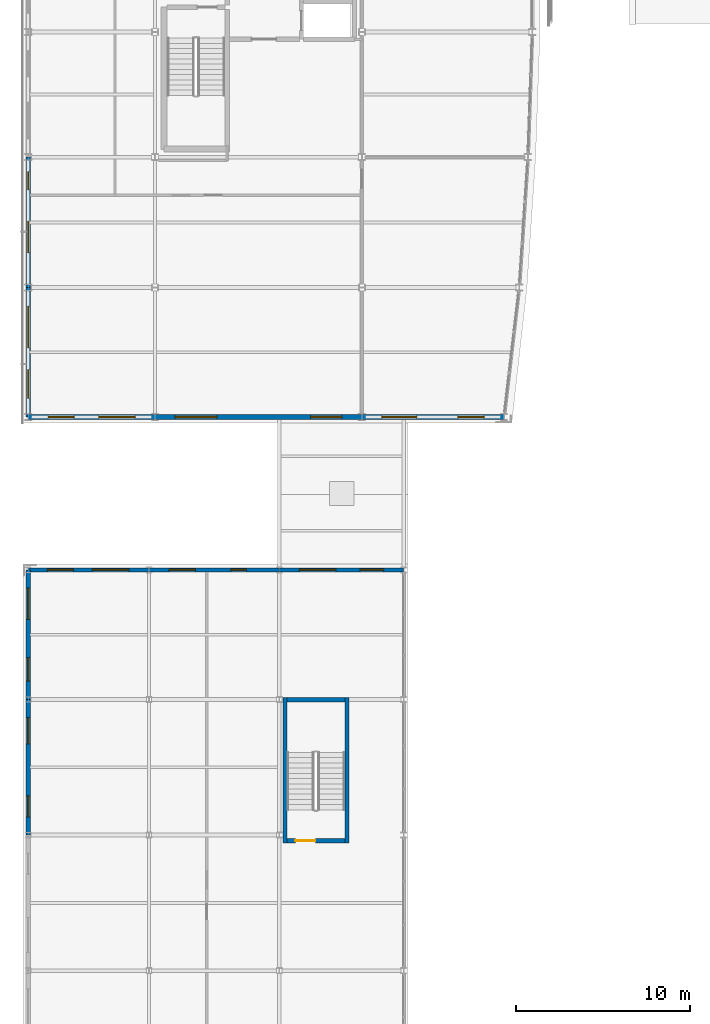
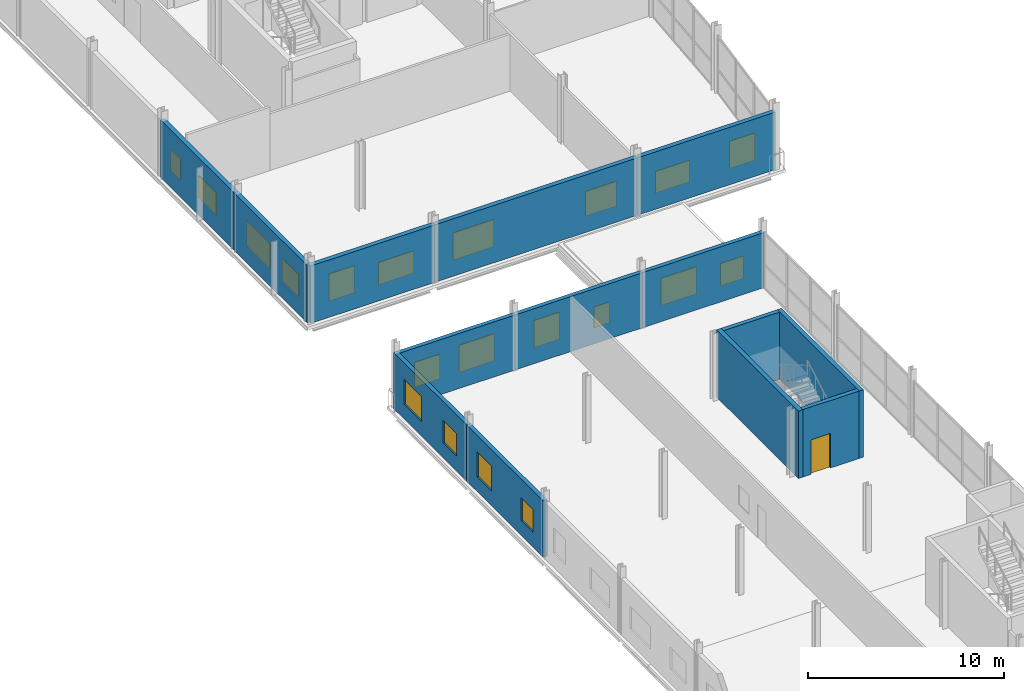
# One storey, part 53 of 65: 20 windows, 14 walls, 1 door, 21 openings.
"""IFC4 building model written with IfcOpenShell, lengths in metres."""

from ifc_helpers import new_model, si_unit, direction, frame, frame_2d, origin, place, context, subcontext, project, spatial, rectangle, extrude, material, layer, layer_set, type_object, element, fill, save


model = new_model("IFC4")

# Units and contexts
model_context = context("Model", 3, precision=1e-05, world=origin(), true_north=direction((0.0, 1.0)))
body_context = subcontext(model_context, "Body", "Model", "MODEL_VIEW")
ifc_project = project(units=[si_unit("LENGTHUNIT", "METRE"), si_unit("AREAUNIT", "SQUARE_METRE"), si_unit("VOLUMEUNIT", "CUBIC_METRE"), si_unit("PLANEANGLEUNIT", "RADIAN"), si_unit("MASSUNIT", "GRAM", prefix="KILO")], contexts=[model_context])

# Site, building, storey
site_placement = place(None, origin())
site = spatial("IfcSite", under=ifc_project, at=site_placement, CompositionType="ELEMENT")
building_placement = place(site_placement, origin())
building = spatial("IfcBuilding", under=site, at=building_placement, Name="Quillay Park Conservatory", CompositionType="ELEMENT")
storey_placement = place(building_placement, frame((0.0, 0.0, 14.10009765625)))
storey = spatial("IfcBuildingStorey", under=building, at=storey_placement, Name="L03", CompositionType="ELEMENT", Elevation=14.10009765625)

# Walls
ifc_material_1 = material(Name="Concrete C40/50 (NCh170 Concrete C40/50)", Category="concrete")
ifc_layer_1 = layer(ifc_material_1, 0.25)
ifc_layer_set_1 = layer_set([ifc_layer_1], Name="CORE SHEAR WALL 250 (Concrete C40/50 (NCh170 Concrete C40/50))")
wall_type_1 = type_object("IfcWallType", Name="CORE SHEAR WALL 250", PredefinedType="SHEAR", material=ifc_layer_set_1)
for number, where, z_axis, x_axis, name in (
    (1, (15.324951171875, 38.550048828125, 0.0), (0.0, 0.0, 1.0), (0.0, 1.0, 0.0), "L03 Core Shear Wall WL-V2W-L03"),
    (2, (18.89501953125, 38.550048828125, 0.0), (0.0, 0.0, 1.0), (0.0, 1.0, 0.0), "L03 Core Shear Wall WL-V2E-L03"),
):
    element("IfcWall", number, at=place(storey_placement, frame(where, z_axis=z_axis, x_axis=x_axis)), inside=storey, type_object=wall_type_1, Name=name, PredefinedType="SHEAR", context=body_context, shape_type="SweptSolid", body=[
        extrude(rectangle(XDim=8.349853515625, YDim=0.25, at=frame_2d((4.1748046875, 0.0))), origin(), (0.0, 0.0, 1.0), 4.199951171875),
    ])
wall_1_placement = place(storey_placement, frame((15.449951171875, 46.77490234375, 0.0), z_axis=(0.0, 0.0, 1.0), x_axis=(1.0, 0.0, 0.0)))
element("IfcWall", 3, at=wall_1_placement, inside=storey, type_object=wall_type_1, Name="L03 Core Shear Wall WL-V2N-L03", PredefinedType="SHEAR", context=body_context, shape_type="SweptSolid", body=[
    extrude(rectangle(XDim=3.320068359375, YDim=0.25, at=frame_2d((1.66015625, 0.0))), origin(), (0.0, 0.0, 1.0), 4.199951171875),
])

# Wall, opening, door
wall_2_placement = place(storey_placement, frame((18.77001953125, 38.675048828125, 0.0), z_axis=(0.0, 0.0, 1.0), x_axis=(-1.0, 0.0, 0.0)))
wall_2 = element("IfcWall", 4, at=wall_2_placement, inside=storey, type_object=wall_type_1, Name="L03 Core Shear Wall WL-V2D-L03", PredefinedType="SHEAR", context=body_context, shape_type="SweptSolid", body=[
    extrude(rectangle(XDim=3.320068359375, YDim=0.25, at=frame_2d((1.66015625, 0.0))), origin(), (0.0, 0.0, 1.0), 4.199951171875),
])
opening_1_placement = place(wall_2_placement, frame((1.699951171875, 0.0, 0.0)))
opening_1 = element("IfcOpeningElement", 5, at=opening_1_placement, cuts=wall_2, Name="Opening D-ST02", PredefinedType="OPENING", context=body_context, shape_type="SweptSolid", body=[
    extrude(rectangle(XDim=1.14990234375, YDim=2.14990234375, at=frame_2d((0.574951171875, 1.074951171875))), frame((0.0, 0.125, 0.0), z_axis=(0.0, -1.0, 0.0), x_axis=(1.0, 0.0, 0.0)), (0.0, 0.0, 1.0), 0.25),
])
ifc_material_2 = material(Name="Steel ASTM A572 Grade 50", Category="steel")
door_type = type_object("IfcDoorType", Name="FIRE RATED STAIR DOOR 1150 X2150", OperationType="NOTDEFINED", PredefinedType="DOOR", material=ifc_material_2)
door_placement = place(opening_1_placement, origin())
door = element("IfcDoor", 6, at=door_placement, inside=storey, type_object=door_type, Name="L03 Visitor Stair ST-V2 Door", OperationType="SINGLE_SWING_RIGHT", OverallHeight=2.14990234375, OverallWidth=1.14990234375, PredefinedType="DOOR", context=body_context, shape_type="SweptSolid", body=[
    extrude(rectangle(XDim=1.14990234375, YDim=2.14990234375, at=frame_2d((0.574951171875, 1.074951171875))), frame((0.0, 0.02490234375, 0.0), z_axis=(0.0, -1.0, 0.0), x_axis=(1.0, 0.0, 0.0)), (0.0, 0.0, 1.0), 0.050048828125),
])
fill(opening_1, door)

# Wall, openings, windows
ifc_material_3 = material(Name="Glass-Fibre Reinforced Concrete (GRC) Cladding", Category="concrete")
ifc_layer_2 = layer(ifc_material_3, 0.239990234375)
ifc_layer_set_2 = layer_set([ifc_layer_2], Name="EXTERIOR SOLID WALL 240 (Glass-Fibre Reinforced Concrete (GRC) Cladding)")
wall_type_2 = type_object("IfcWallType", Name="EXTERIOR SOLID WALL 240", PredefinedType="SOLIDWALL", material=ifc_layer_set_2)
wall_3_placement = place(storey_placement, frame((0.550048828125, 39.0, 0.0), z_axis=(0.0, 0.0, 1.0), x_axis=(0.0, 1.0, 0.0)))
wall_3 = element("IfcWall", 7, at=wall_3_placement, inside=storey, type_object=wall_type_2, Name="L03 External Wall WL-EXT-V3W-L03-5", PredefinedType="SOLIDWALL", context=body_context, shape_type="SweptSolid", body=[
    extrude(rectangle(XDim=7.800048828125, YDim=0.239990234375, at=frame_2d((3.89990234375, 0.0))), origin(), (0.0, 0.0, 1.0), 3.501953125),
])
opening_2_placement = place(wall_3_placement, frame((1.050048828125, 0.0, 0.919921875)))
opening_2 = element("IfcOpeningElement", 8, at=opening_2_placement, cuts=wall_3, Name="Opening W-01", PredefinedType="OPENING", context=body_context, shape_type="SweptSolid", body=[
    extrude(rectangle(XDim=1.199951171875, YDim=1.39990234375, at=frame_2d((0.60009765625, 0.699951171875))), frame((0.0, 0.1201171875, 0.0), z_axis=(0.0, -1.0, 0.0), x_axis=(1.0, 0.0, 0.0)), (0.0, 0.0, 1.0), 0.239990234375),
])
opening_3_placement = place(wall_3_placement, frame((5.25, 0.0, 0.919921875)))
opening_3 = element("IfcOpeningElement", 9, at=opening_3_placement, cuts=wall_3, Name="Opening W-08", PredefinedType="OPENING", context=body_context, shape_type="SweptSolid", body=[
    extrude(rectangle(XDim=1.5, YDim=1.550048828125, at=frame_2d((0.75, 0.77490234375))), frame((0.0, 0.1201171875, 0.0), z_axis=(0.0, -1.0, 0.0), x_axis=(1.0, 0.0, 0.0)), (0.0, 0.0, 1.0), 0.239990234375),
])
ifc_material_4 = material(Name="Low-E Double Glazing (Laminated Tempered)", Category="glass")
window_type_1 = type_object("IfcWindowType", Name="FIXED CASEMENT WINDOW 1200 X1400", PartitioningType="SINGLE_PANEL", PredefinedType="WINDOW", material=ifc_material_4)
window_1_placement = place(opening_2_placement, origin())
window_1 = element("IfcWindow", 10, at=window_1_placement, inside=storey, type_object=window_type_1, Name="L03 Exterior Window 0061", OverallHeight=1.39990234375, OverallWidth=1.199951171875, PartitioningType="SINGLE_PANEL", PredefinedType="WINDOW", context=body_context, shape_type="SweptSolid", body=[
    extrude(rectangle(XDim=1.199951171875, YDim=1.39990234375, at=frame_2d((0.60009765625, 0.699951171875))), frame((0.0, 0.030029296875, 0.0), z_axis=(0.0, -1.0, 0.0), x_axis=(1.0, 0.0, 0.0)), (0.0, 0.0, 1.0), 0.06005859375),
])
fill(opening_2, window_1)
ifc_material_5 = material(Name="Low-E Double Glazing (Laminated Tempered)", Category="glass")
window_type_2 = type_object("IfcWindowType", Name="FIXED CASEMENT WINDOW 1500 X1550", PartitioningType="SINGLE_PANEL", PredefinedType="WINDOW", material=ifc_material_5)
window_2_placement = place(opening_3_placement, origin())
window_2 = element("IfcWindow", 11, at=window_2_placement, inside=storey, type_object=window_type_2, Name="L03 Exterior Window 0062", OverallHeight=1.550048828125, OverallWidth=1.5, PartitioningType="SINGLE_PANEL", PredefinedType="WINDOW", context=body_context, shape_type="SweptSolid", body=[
    extrude(rectangle(XDim=1.5, YDim=1.550048828125, at=frame_2d((0.75, 0.77490234375))), frame((0.0, 0.030029296875, 0.0), z_axis=(0.0, -1.0, 0.0), x_axis=(1.0, 0.0, 0.0)), (0.0, 0.0, 1.0), 0.06005859375),
])
fill(opening_3, window_2)

wall_4_placement = place(storey_placement, frame((0.550048828125, 46.800048828125, 0.0), z_axis=(0.0, 0.0, 1.0), x_axis=(0.0, 1.0, 0.0)))
wall_4 = element("IfcWall", 12, at=wall_4_placement, inside=storey, type_object=wall_type_2, Name="L03 External Wall WL-EXT-V3W-L03-6", PredefinedType="SOLIDWALL", context=body_context, shape_type="SweptSolid", body=[
    extrude(rectangle(XDim=7.449951171875, YDim=0.239990234375, at=frame_2d((3.72509765625, 0.0))), origin(), (0.0, 0.0, 1.0), 3.501953125),
])
opening_4_placement = place(wall_4_placement, frame((1.050048828125, 0.0, 0.919921875)))
opening_4 = element("IfcOpeningElement", 13, at=opening_4_placement, cuts=wall_4, Name="Opening W-02", PredefinedType="OPENING", context=body_context, shape_type="SweptSolid", body=[
    extrude(rectangle(XDim=1.35009765625, YDim=1.39990234375, at=frame_2d((0.675048828125, 0.699951171875))), frame((0.0, 0.1201171875, 0.0), z_axis=(0.0, -1.0, 0.0), x_axis=(1.0, 0.0, 0.0)), (0.0, 0.0, 1.0), 0.239990234375),
])
opening_5_placement = place(wall_4_placement, frame((4.60009765625, 0.0, 0.919921875)))
opening_5 = element("IfcOpeningElement", 14, at=opening_5_placement, cuts=wall_4, Name="Opening W-09", PredefinedType="OPENING", context=body_context, shape_type="SweptSolid", body=[
    extrude(rectangle(XDim=1.800048828125, YDim=1.550048828125, at=frame_2d((0.89990234375, 0.77490234375))), frame((0.0, 0.1201171875, 0.0), z_axis=(0.0, -1.0, 0.0), x_axis=(1.0, 0.0, 0.0)), (0.0, 0.0, 1.0), 0.239990234375),
])
ifc_material_6 = material(Name="Low-E Double Glazing (Laminated Tempered)", Category="glass")
window_type_3 = type_object("IfcWindowType", Name="FIXED CASEMENT WINDOW 1350 X1400", PartitioningType="SINGLE_PANEL", PredefinedType="WINDOW", material=ifc_material_6)
window_3_placement = place(opening_4_placement, origin())
window_3 = element("IfcWindow", 15, at=window_3_placement, inside=storey, type_object=window_type_3, Name="L03 Exterior Window 0063", OverallHeight=1.39990234375, OverallWidth=1.35009765625, PartitioningType="SINGLE_PANEL", PredefinedType="WINDOW", context=body_context, shape_type="SweptSolid", body=[
    extrude(rectangle(XDim=1.35009765625, YDim=1.39990234375, at=frame_2d((0.675048828125, 0.699951171875))), frame((0.0, 0.030029296875, 0.0), z_axis=(0.0, -1.0, 0.0), x_axis=(1.0, 0.0, 0.0)), (0.0, 0.0, 1.0), 0.06005859375),
])
fill(opening_4, window_3)
ifc_material_7 = material(Name="Low-E Double Glazing (Laminated Tempered)", Category="glass")
window_type_4 = type_object("IfcWindowType", Name="FIXED CASEMENT WINDOW 1800 X1550", PartitioningType="DOUBLE_PANEL_VERTICAL", PredefinedType="WINDOW", material=ifc_material_7)
window_4_placement = place(opening_5_placement, origin())
window_4 = element("IfcWindow", 16, at=window_4_placement, inside=storey, type_object=window_type_4, Name="L03 Exterior Window 0064", OverallHeight=1.550048828125, OverallWidth=1.800048828125, PartitioningType="DOUBLE_PANEL_VERTICAL", PredefinedType="WINDOW", context=body_context, shape_type="SweptSolid", body=[
    extrude(rectangle(XDim=1.800048828125, YDim=1.550048828125, at=frame_2d((0.89990234375, 0.77490234375))), frame((0.0, 0.030029296875, 0.0), z_axis=(0.0, -1.0, 0.0), x_axis=(1.0, 0.0, 0.0)), (0.0, 0.0, 1.0), 0.06005859375),
])
fill(opening_5, window_4)

wall_5_placement = place(storey_placement, frame((0.550048828125, 54.25, 0.0), z_axis=(0.0, 0.0, 1.0), x_axis=(1.0, 0.0, 0.0)))
wall_5 = element("IfcWall", 17, at=wall_5_placement, inside=storey, type_object=wall_type_2, Name="L03 External Wall WL-EXT-V3N1-L03", PredefinedType="SOLIDWALL", context=body_context, shape_type="SweptSolid", body=[
    extrude(rectangle(XDim=6.949951171875, YDim=0.239990234375, at=frame_2d((3.47509765625, 0.0))), origin(), (0.0, 0.0, 1.0), 3.42578125),
])
opening_6_placement = place(wall_5_placement, frame((1.10009765625, 0.0, 0.919921875)))
opening_6 = element("IfcOpeningElement", 18, at=opening_6_placement, cuts=wall_5, Name="Opening W-08", PredefinedType="OPENING", context=body_context, shape_type="SweptSolid", body=[
    extrude(rectangle(XDim=1.5, YDim=1.550048828125, at=frame_2d((0.75, 0.77490234375))), frame((0.0, 0.1201171875, 0.0), z_axis=(0.0, -1.0, 0.0), x_axis=(1.0, 0.0, 0.0)), (0.0, 0.0, 1.0), 0.239990234375),
])
opening_7_placement = place(wall_5_placement, frame((3.699951171875, 0.0, 0.919921875)))
opening_7 = element("IfcOpeningElement", 19, at=opening_7_placement, cuts=wall_5, Name="Opening W-15", PredefinedType="OPENING", context=body_context, shape_type="SweptSolid", body=[
    extrude(rectangle(XDim=2.10009765625, YDim=1.699951171875, at=frame_2d((1.050048828125, 0.85009765625))), frame((0.0, 0.1201171875, 0.0), z_axis=(0.0, -1.0, 0.0), x_axis=(1.0, 0.0, 0.0)), (0.0, 0.0, 1.0), 0.239990234375),
])
window_5_placement = place(opening_6_placement, origin())
window_5 = element("IfcWindow", 20, at=window_5_placement, inside=storey, type_object=window_type_2, Name="L03 Exterior Window 0065", OverallHeight=1.550048828125, OverallWidth=1.5, PartitioningType="SINGLE_PANEL", PredefinedType="WINDOW", context=body_context, shape_type="SweptSolid", body=[
    extrude(rectangle(XDim=1.5, YDim=1.550048828125, at=frame_2d((0.75, 0.77490234375))), frame((0.0, 0.030029296875, 0.0), z_axis=(0.0, -1.0, 0.0), x_axis=(1.0, 0.0, 0.0)), (0.0, 0.0, 1.0), 0.06005859375),
])
fill(opening_6, window_5)
ifc_material_8 = material(Name="Low-E Double Glazing (Laminated Tempered)", Category="glass")
window_type_5 = type_object("IfcWindowType", Name="FIXED CASEMENT WINDOW 2100 X1700", PartitioningType="DOUBLE_PANEL_VERTICAL", PredefinedType="WINDOW", material=ifc_material_8)
window_6_placement = place(opening_7_placement, origin())
window_6 = element("IfcWindow", 21, at=window_6_placement, inside=storey, type_object=window_type_5, Name="L03 Exterior Window 0066", OverallHeight=1.699951171875, OverallWidth=2.10009765625, PartitioningType="DOUBLE_PANEL_VERTICAL", PredefinedType="WINDOW", context=body_context, shape_type="SweptSolid", body=[
    extrude(rectangle(XDim=2.10009765625, YDim=1.699951171875, at=frame_2d((1.050048828125, 0.85009765625))), frame((0.0, 0.030029296875, 0.0), z_axis=(0.0, -1.0, 0.0), x_axis=(1.0, 0.0, 0.0)), (0.0, 0.0, 1.0), 0.06005859375),
])
fill(opening_7, window_6)

wall_6_placement = place(storey_placement, frame((7.5, 54.25, 0.0), z_axis=(0.0, 0.0, 1.0), x_axis=(1.0, 0.0, 0.0)))
wall_6 = element("IfcWall", 22, at=wall_6_placement, inside=storey, type_object=wall_type_2, Name="L03 External Wall WL-EXT-V3N2-L03", PredefinedType="SOLIDWALL", context=body_context, shape_type="SweptSolid", body=[
    extrude(rectangle(XDim=7.5, YDim=0.239990234375, at=frame_2d((3.75, 0.0))), origin(), (0.0, 0.0, 1.0), 3.42578125),
])
opening_8_placement = place(wall_6_placement, frame((1.1650390625, 0.0, 0.919921875)))
opening_8 = element("IfcOpeningElement", 23, at=opening_8_placement, cuts=wall_6, Name="Opening W-13", PredefinedType="OPENING", context=body_context, shape_type="SweptSolid", body=[
    extrude(rectangle(XDim=1.5, YDim=1.699951171875, at=frame_2d((0.75, 0.85009765625))), frame((0.0, 0.1201171875, 0.0), z_axis=(0.0, -1.0, 0.0), x_axis=(1.0, 0.0, 0.0)), (0.0, 0.0, 1.0), 0.239990234375),
])
opening_9_placement = place(wall_6_placement, frame((4.705078125, 0.0, 0.919921875)))
opening_9 = element("IfcOpeningElement", 24, at=opening_9_placement, cuts=wall_6, Name="Opening W-17", PredefinedType="OPENING", context=body_context, shape_type="SweptSolid", body=[
    extrude(rectangle(XDim=0.89990234375, YDim=1.300048828125, at=frame_2d((0.449951171875, 0.64990234375))), frame((0.0, 0.1201171875, 0.0), z_axis=(0.0, -1.0, 0.0), x_axis=(1.0, 0.0, 0.0)), (0.0, 0.0, 1.0), 0.239990234375),
])
ifc_material_9 = material(Name="Low-E Double Glazing (Laminated Tempered)", Category="glass")
window_type_6 = type_object("IfcWindowType", Name="FIXED CASEMENT WINDOW 1500 X1700", PartitioningType="SINGLE_PANEL", PredefinedType="WINDOW", material=ifc_material_9)
window_7_placement = place(opening_8_placement, origin())
window_7 = element("IfcWindow", 25, at=window_7_placement, inside=storey, type_object=window_type_6, Name="L03 Exterior Window 0067", OverallHeight=1.699951171875, OverallWidth=1.5, PartitioningType="SINGLE_PANEL", PredefinedType="WINDOW", context=body_context, shape_type="SweptSolid", body=[
    extrude(rectangle(XDim=1.5, YDim=1.699951171875, at=frame_2d((0.75, 0.85009765625))), frame((0.0, 0.030029296875, 0.0), z_axis=(0.0, -1.0, 0.0), x_axis=(1.0, 0.0, 0.0)), (0.0, 0.0, 1.0), 0.06005859375),
])
fill(opening_8, window_7)
ifc_material_10 = material(Name="Low-E Double Glazing (Laminated Tempered)", Category="glass")
window_type_7 = type_object("IfcWindowType", Name="FIXED CASEMENT WINDOW 900 X1300", PartitioningType="SINGLE_PANEL", PredefinedType="WINDOW", material=ifc_material_10)
window_8_placement = place(opening_9_placement, origin())
window_8 = element("IfcWindow", 26, at=window_8_placement, inside=storey, type_object=window_type_7, Name="L03 Exterior Window 0068", OverallHeight=1.300048828125, OverallWidth=0.89990234375, PartitioningType="SINGLE_PANEL", PredefinedType="WINDOW", context=body_context, shape_type="SweptSolid", body=[
    extrude(rectangle(XDim=0.89990234375, YDim=1.300048828125, at=frame_2d((0.449951171875, 0.64990234375))), frame((0.0, 0.030029296875, 0.0), z_axis=(0.0, -1.0, 0.0), x_axis=(1.0, 0.0, 0.0)), (0.0, 0.0, 1.0), 0.06005859375),
])
fill(opening_9, window_8)

wall_7_placement = place(storey_placement, frame((15.0, 54.25, 0.0), z_axis=(0.0, 0.0, 1.0), x_axis=(1.0, 0.0, 0.0)))
wall_7 = element("IfcWall", 27, at=wall_7_placement, inside=storey, type_object=wall_type_2, Name="L03 External Wall WL-EXT-V3N3-L03", PredefinedType="SOLIDWALL", context=body_context, shape_type="SweptSolid", body=[
    extrude(rectangle(XDim=7.14990234375, YDim=0.239990234375, at=frame_2d((3.574951171875, 0.0))), origin(), (0.0, 0.0, 1.0), 3.42578125),
])
opening_10_placement = place(wall_7_placement, frame((1.14990234375, 0.0, 0.919921875)))
opening_10 = element("IfcOpeningElement", 28, at=opening_10_placement, cuts=wall_7, Name="Opening W-15", PredefinedType="OPENING", context=body_context, shape_type="SweptSolid", body=[
    extrude(rectangle(XDim=2.10009765625, YDim=1.699951171875, at=frame_2d((1.050048828125, 0.85009765625))), frame((0.0, 0.1201171875, 0.0), z_axis=(0.0, -1.0, 0.0), x_axis=(1.0, 0.0, 0.0)), (0.0, 0.0, 1.0), 0.239990234375),
])
opening_11_placement = place(wall_7_placement, frame((4.64990234375, 0.0, 0.919921875)))
opening_11 = element("IfcOpeningElement", 29, at=opening_11_placement, cuts=wall_7, Name="Opening W-02", PredefinedType="OPENING", context=body_context, shape_type="SweptSolid", body=[
    extrude(rectangle(XDim=1.35009765625, YDim=1.39990234375, at=frame_2d((0.675048828125, 0.699951171875))), frame((0.0, 0.1201171875, 0.0), z_axis=(0.0, -1.0, 0.0), x_axis=(1.0, 0.0, 0.0)), (0.0, 0.0, 1.0), 0.239990234375),
])
window_9_placement = place(opening_11_placement, origin())
window_9 = element("IfcWindow", 30, at=window_9_placement, inside=storey, type_object=window_type_3, Name="L03 Exterior Window 0070", OverallHeight=1.39990234375, OverallWidth=1.35009765625, PartitioningType="SINGLE_PANEL", PredefinedType="WINDOW", context=body_context, shape_type="SweptSolid", body=[
    extrude(rectangle(XDim=1.35009765625, YDim=1.39990234375, at=frame_2d((0.675048828125, 0.699951171875))), frame((0.0, 0.030029296875, 0.0), z_axis=(0.0, -1.0, 0.0), x_axis=(1.0, 0.0, 0.0)), (0.0, 0.0, 1.0), 0.06005859375),
])
fill(opening_11, window_9)
window_10_placement = place(opening_10_placement, origin())
window_10 = element("IfcWindow", 31, at=window_10_placement, inside=storey, type_object=window_type_5, Name="L03 Exterior Window 0069", OverallHeight=1.699951171875, OverallWidth=2.10009765625, PartitioningType="DOUBLE_PANEL_VERTICAL", PredefinedType="WINDOW", context=body_context, shape_type="SweptSolid", body=[
    extrude(rectangle(XDim=2.10009765625, YDim=1.699951171875, at=frame_2d((1.050048828125, 0.85009765625))), frame((0.0, 0.030029296875, 0.0), z_axis=(0.0, -1.0, 0.0), x_axis=(1.0, 0.0, 0.0)), (0.0, 0.0, 1.0), 0.06005859375),
])
fill(opening_10, window_10)

ifc_material_11 = material(Name="Glass-Fibre Reinforced Concrete (GRC) Cladding", Category="concrete")
ifc_layer_3 = layer(ifc_material_11, 0.260009765625)
ifc_layer_set_3 = layer_set([ifc_layer_3], Name="EXTERIOR SOLID WALL 260 (Glass-Fibre Reinforced Concrete (GRC) Cladding)")
wall_type_3 = type_object("IfcWallType", Name="EXTERIOR SOLID WALL 260", PredefinedType="SOLIDWALL", material=ifc_layer_set_3)
wall_8_placement = place(storey_placement, frame((0.550048828125, 63.050048828125, 0.0), z_axis=(0.0, 0.0, 1.0), x_axis=(0.0, 1.0, 0.0)))
wall_8 = element("IfcWall", 32, at=wall_8_placement, inside=storey, type_object=wall_type_3, Name="L03 External Wall WL-EXT-V4W-L03-0", PredefinedType="SOLIDWALL", context=body_context, shape_type="SweptSolid", body=[
    extrude(rectangle(XDim=7.449951171875, YDim=0.260009765625, at=frame_2d((3.72509765625, 0.0))), origin(), (0.0, 0.0, 1.0), 3.576904296875),
])
opening_12_placement = place(wall_8_placement, frame((1.070068359375, 0.0, 0.919921875)))
opening_12 = element("IfcOpeningElement", 33, at=opening_12_placement, cuts=wall_8, Name="Opening W-04", PredefinedType="OPENING", context=body_context, shape_type="SweptSolid", body=[
    extrude(rectangle(XDim=1.64990234375, YDim=1.39990234375, at=frame_2d((0.824951171875, 0.699951171875))), frame((0.0, 0.1298828125, 0.0), z_axis=(0.0, -1.0, 0.0), x_axis=(1.0, 0.0, 0.0)), (0.0, 0.0, 1.0), 0.260009765625),
])
opening_13_placement = place(wall_8_placement, frame((3.97998046875, 0.0, 0.919921875)))
opening_13 = element("IfcOpeningElement", 34, at=opening_13_placement, cuts=wall_8, Name="Opening W-11", PredefinedType="OPENING", context=body_context, shape_type="SweptSolid", body=[
    extrude(rectangle(XDim=2.39990234375, YDim=1.550048828125, at=frame_2d((1.199951171875, 0.77490234375))), frame((0.0, 0.1298828125, 0.0), z_axis=(0.0, -1.0, 0.0), x_axis=(1.0, 0.0, 0.0)), (0.0, 0.0, 1.0), 0.260009765625),
])
ifc_material_12 = material(Name="Low-E Double Glazing (Laminated Tempered)", Category="glass")
window_type_8 = type_object("IfcWindowType", Name="FIXED CASEMENT WINDOW 1650 X1400", PartitioningType="DOUBLE_PANEL_VERTICAL", PredefinedType="WINDOW", material=ifc_material_12)
window_11_placement = place(opening_12_placement, origin())
window_11 = element("IfcWindow", 35, at=window_11_placement, inside=storey, type_object=window_type_8, Name="L03 Exterior Window 0124", OverallHeight=1.39990234375, OverallWidth=1.64990234375, PartitioningType="DOUBLE_PANEL_VERTICAL", PredefinedType="WINDOW", context=body_context, shape_type="SweptSolid", body=[
    extrude(rectangle(XDim=1.64990234375, YDim=1.39990234375, at=frame_2d((0.824951171875, 0.699951171875))), frame((0.0, 0.030029296875, 0.0), z_axis=(0.0, -1.0, 0.0), x_axis=(1.0, 0.0, 0.0)), (0.0, 0.0, 1.0), 0.06005859375),
])
fill(opening_12, window_11)
ifc_material_13 = material(Name="Low-E Double Glazing (Laminated Tempered)", Category="glass")
window_type_9 = type_object("IfcWindowType", Name="FIXED CASEMENT WINDOW 2400 X1550", PartitioningType="DOUBLE_PANEL_VERTICAL", PredefinedType="WINDOW", material=ifc_material_13)
window_12_placement = place(opening_13_placement, origin())
window_12 = element("IfcWindow", 36, at=window_12_placement, inside=storey, type_object=window_type_9, Name="L03 Exterior Window 0125", OverallHeight=1.550048828125, OverallWidth=2.39990234375, PartitioningType="DOUBLE_PANEL_VERTICAL", PredefinedType="WINDOW", context=body_context, shape_type="SweptSolid", body=[
    extrude(rectangle(XDim=2.39990234375, YDim=1.550048828125, at=frame_2d((1.199951171875, 0.77490234375))), frame((0.0, 0.030029296875, 0.0), z_axis=(0.0, -1.0, 0.0), x_axis=(1.0, 0.0, 0.0)), (0.0, 0.0, 1.0), 0.06005859375),
])
fill(opening_13, window_12)

wall_9_placement = place(storey_placement, frame((0.550048828125, 70.5, 0.0), z_axis=(0.0, 0.0, 1.0), x_axis=(0.0, 1.0, 0.0)))
wall_9 = element("IfcWall", 37, at=wall_9_placement, inside=storey, type_object=wall_type_3, Name="L03 External Wall WL-EXT-V4W-L03-1", PredefinedType="SOLIDWALL", context=body_context, shape_type="SweptSolid", body=[
    extrude(rectangle(XDim=7.5, YDim=0.260009765625, at=frame_2d((3.75, 0.0))), origin(), (0.0, 0.0, 1.0), 3.576904296875),
])
opening_14_placement = place(wall_9_placement, frame((2.0048828125, 0.0, 0.919921875)))
opening_14 = element("IfcOpeningElement", 38, at=opening_14_placement, cuts=wall_9, Name="Opening W-05", PredefinedType="OPENING", context=body_context, shape_type="SweptSolid", body=[
    extrude(rectangle(XDim=1.800048828125, YDim=1.39990234375, at=frame_2d((0.89990234375, 0.699951171875))), frame((0.0, 0.1298828125, 0.0), z_axis=(0.0, -1.0, 0.0), x_axis=(1.0, 0.0, 0.0)), (0.0, 0.0, 1.0), 0.260009765625),
])
opening_15_placement = place(wall_9_placement, frame((5.6201171875, 0.0, 0.919921875)))
opening_15 = element("IfcOpeningElement", 39, at=opening_15_placement, cuts=wall_9, Name="Opening W-18", PredefinedType="OPENING", context=body_context, shape_type="SweptSolid", body=[
    extrude(rectangle(XDim=1.050048828125, YDim=1.300048828125, at=frame_2d((0.52490234375, 0.64990234375))), frame((0.0, 0.1298828125, 0.0), z_axis=(0.0, -1.0, 0.0), x_axis=(1.0, 0.0, 0.0)), (0.0, 0.0, 1.0), 0.260009765625),
])
ifc_material_14 = material(Name="Low-E Double Glazing (Laminated Tempered)", Category="glass")
window_type_10 = type_object("IfcWindowType", Name="FIXED CASEMENT WINDOW 1050 X1300", PartitioningType="SINGLE_PANEL", PredefinedType="WINDOW", material=ifc_material_14)
window_13_placement = place(opening_15_placement, origin())
window_13 = element("IfcWindow", 40, at=window_13_placement, inside=storey, type_object=window_type_10, Name="L03 Exterior Window 0127", OverallHeight=1.300048828125, OverallWidth=1.050048828125, PartitioningType="SINGLE_PANEL", PredefinedType="WINDOW", context=body_context, shape_type="SweptSolid", body=[
    extrude(rectangle(XDim=1.050048828125, YDim=1.300048828125, at=frame_2d((0.52490234375, 0.64990234375))), frame((0.0, 0.030029296875, 0.0), z_axis=(0.0, -1.0, 0.0), x_axis=(1.0, 0.0, 0.0)), (0.0, 0.0, 1.0), 0.06005859375),
])
fill(opening_15, window_13)
ifc_material_15 = material(Name="Low-E Double Glazing (Laminated Tempered)", Category="glass")
window_type_11 = type_object("IfcWindowType", Name="FIXED CASEMENT WINDOW 1800 X1400", PartitioningType="DOUBLE_PANEL_VERTICAL", PredefinedType="WINDOW", material=ifc_material_15)
window_14_placement = place(opening_14_placement, origin())
window_14 = element("IfcWindow", 41, at=window_14_placement, inside=storey, type_object=window_type_11, Name="L03 Exterior Window 0126", OverallHeight=1.39990234375, OverallWidth=1.800048828125, PartitioningType="DOUBLE_PANEL_VERTICAL", PredefinedType="WINDOW", context=body_context, shape_type="SweptSolid", body=[
    extrude(rectangle(XDim=1.800048828125, YDim=1.39990234375, at=frame_2d((0.89990234375, 0.699951171875))), frame((0.0, 0.030029296875, 0.0), z_axis=(0.0, -1.0, 0.0), x_axis=(1.0, 0.0, 0.0)), (0.0, 0.0, 1.0), 0.06005859375),
])
fill(opening_14, window_14)

wall_10_placement = place(storey_placement, frame((7.85009765625, 63.050048828125, 0.0), z_axis=(0.0, 0.0, 1.0), x_axis=(-1.0, 0.0, 0.0)))
wall_10 = element("IfcWall", 42, at=wall_10_placement, inside=storey, type_object=wall_type_3, Name="L03 External Wall WL-EXT-V4S1-L03", PredefinedType="SOLIDWALL", context=body_context, shape_type="SweptSolid", body=[
    extrude(rectangle(XDim=7.300048828125, YDim=0.260009765625, at=frame_2d((3.64990234375, 0.0))), origin(), (0.0, 0.0, 1.0), 3.576904296875),
])
opening_16_placement = place(wall_10_placement, frame((1.14990234375, 0.0, 0.919921875)))
opening_16 = element("IfcOpeningElement", 43, at=opening_16_placement, cuts=wall_10, Name="Opening W-06", PredefinedType="OPENING", context=body_context, shape_type="SweptSolid", body=[
    extrude(rectangle(XDim=2.10009765625, YDim=1.39990234375, at=frame_2d((1.050048828125, 0.699951171875))), frame((0.0, 0.1298828125, 0.0), z_axis=(0.0, -1.0, 0.0), x_axis=(1.0, 0.0, 0.0)), (0.0, 0.0, 1.0), 0.260009765625),
])
opening_17_placement = place(wall_10_placement, frame((4.64990234375, 0.0, 0.919921875)))
opening_17 = element("IfcOpeningElement", 44, at=opening_17_placement, cuts=wall_10, Name="Opening W-13", PredefinedType="OPENING", context=body_context, shape_type="SweptSolid", body=[
    extrude(rectangle(XDim=1.5, YDim=1.699951171875, at=frame_2d((0.75, 0.85009765625))), frame((0.0, 0.1298828125, 0.0), z_axis=(0.0, -1.0, 0.0), x_axis=(1.0, 0.0, 0.0)), (0.0, 0.0, 1.0), 0.260009765625),
])
window_15_placement = place(opening_17_placement, origin())
window_15 = element("IfcWindow", 45, at=window_15_placement, inside=storey, type_object=window_type_6, Name="L03 Exterior Window 0139", OverallHeight=1.699951171875, OverallWidth=1.5, PartitioningType="SINGLE_PANEL", PredefinedType="WINDOW", context=body_context, shape_type="SweptSolid", body=[
    extrude(rectangle(XDim=1.5, YDim=1.699951171875, at=frame_2d((0.75, 0.85009765625))), frame((0.0, 0.030029296875, 0.0), z_axis=(0.0, -1.0, 0.0), x_axis=(1.0, 0.0, 0.0)), (0.0, 0.0, 1.0), 0.06005859375),
])
fill(opening_17, window_15)
ifc_material_16 = material(Name="Low-E Double Glazing (Laminated Tempered)", Category="glass")
window_type_12 = type_object("IfcWindowType", Name="FIXED CASEMENT WINDOW 2100 X1400", PartitioningType="DOUBLE_PANEL_VERTICAL", PredefinedType="WINDOW", material=ifc_material_16)
window_16_placement = place(opening_16_placement, origin())
window_16 = element("IfcWindow", 46, at=window_16_placement, inside=storey, type_object=window_type_12, Name="L03 Exterior Window 0138", OverallHeight=1.39990234375, OverallWidth=2.10009765625, PartitioningType="DOUBLE_PANEL_VERTICAL", PredefinedType="WINDOW", context=body_context, shape_type="SweptSolid", body=[
    extrude(rectangle(XDim=2.10009765625, YDim=1.39990234375, at=frame_2d((1.050048828125, 0.699951171875))), frame((0.0, 0.030029296875, 0.0), z_axis=(0.0, -1.0, 0.0), x_axis=(1.0, 0.0, 0.0)), (0.0, 0.0, 1.0), 0.06005859375),
])
fill(opening_16, window_16)

wall_11_placement = place(storey_placement, frame((19.75, 63.050048828125, 0.0), z_axis=(0.0, 0.0, 1.0), x_axis=(-1.0, 0.0, 0.0)))
wall_11 = element("IfcWall", 47, at=wall_11_placement, inside=storey, type_object=wall_type_3, Name="L03 External Wall WL-EXT-V4S2-L03", PredefinedType="SOLIDWALL", context=body_context, shape_type="SweptSolid", body=[
    extrude(rectangle(XDim=11.89990234375, YDim=0.260009765625, at=frame_2d((5.949951171875, 0.0))), origin(), (0.0, 0.0, 1.0), 3.576904296875),
])
opening_18_placement = place(wall_11_placement, frame((1.14990234375, 0.0, 0.919921875)))
opening_18 = element("IfcOpeningElement", 48, at=opening_18_placement, cuts=wall_11, Name="Opening W-09", PredefinedType="OPENING", context=body_context, shape_type="SweptSolid", body=[
    extrude(rectangle(XDim=1.800048828125, YDim=1.550048828125, at=frame_2d((0.89990234375, 0.77490234375))), frame((0.0, 0.1298828125, 0.0), z_axis=(0.0, -1.0, 0.0), x_axis=(1.0, 0.0, 0.0)), (0.0, 0.0, 1.0), 0.260009765625),
])
opening_19_placement = place(wall_11_placement, frame((8.35009765625, 0.0, 0.919921875)))
opening_19 = element("IfcOpeningElement", 49, at=opening_19_placement, cuts=wall_11, Name="Opening W-16", PredefinedType="OPENING", context=body_context, shape_type="SweptSolid", body=[
    extrude(rectangle(XDim=2.39990234375, YDim=1.699951171875, at=frame_2d((1.199951171875, 0.85009765625))), frame((0.0, 0.1298828125, 0.0), z_axis=(0.0, -1.0, 0.0), x_axis=(1.0, 0.0, 0.0)), (0.0, 0.0, 1.0), 0.260009765625),
])
window_17_placement = place(opening_18_placement, origin())
window_17 = element("IfcWindow", 50, at=window_17_placement, inside=storey, type_object=window_type_4, Name="L03 Exterior Window 0140", OverallHeight=1.550048828125, OverallWidth=1.800048828125, PartitioningType="DOUBLE_PANEL_VERTICAL", PredefinedType="WINDOW", context=body_context, shape_type="SweptSolid", body=[
    extrude(rectangle(XDim=1.800048828125, YDim=1.550048828125, at=frame_2d((0.89990234375, 0.77490234375))), frame((0.0, 0.030029296875, 0.0), z_axis=(0.0, -1.0, 0.0), x_axis=(1.0, 0.0, 0.0)), (0.0, 0.0, 1.0), 0.06005859375),
])
fill(opening_18, window_17)
ifc_material_17 = material(Name="Low-E Double Glazing (Laminated Tempered)", Category="glass")
window_type_13 = type_object("IfcWindowType", Name="FIXED CASEMENT WINDOW 2400 X1700", PartitioningType="DOUBLE_PANEL_VERTICAL", PredefinedType="WINDOW", material=ifc_material_17)
window_18_placement = place(opening_19_placement, origin())
window_18 = element("IfcWindow", 51, at=window_18_placement, inside=storey, type_object=window_type_13, Name="L03 Exterior Window 0141", OverallHeight=1.699951171875, OverallWidth=2.39990234375, PartitioningType="DOUBLE_PANEL_VERTICAL", PredefinedType="WINDOW", context=body_context, shape_type="SweptSolid", body=[
    extrude(rectangle(XDim=2.39990234375, YDim=1.699951171875, at=frame_2d((1.199951171875, 0.85009765625))), frame((0.0, 0.030029296875, 0.0), z_axis=(0.0, -1.0, 0.0), x_axis=(1.0, 0.0, 0.0)), (0.0, 0.0, 1.0), 0.06005859375),
])
fill(opening_19, window_18)

wall_12_placement = place(storey_placement, frame((27.925048828125, 63.050048828125, 0.0), z_axis=(0.0, 0.0, 1.0), x_axis=(-1.0, 0.0, 0.0)))
wall_12 = element("IfcWall", 52, at=wall_12_placement, inside=storey, type_object=wall_type_3, Name="L03 External Wall WL-EXT-V4S3-L03", PredefinedType="SOLIDWALL", context=body_context, shape_type="SweptSolid", body=[
    extrude(rectangle(XDim=8.175048828125, YDim=0.260009765625, at=frame_2d((4.08740234375, 0.0))), origin(), (0.0, 0.0, 1.0), 3.576904296875),
])
opening_20_placement = place(wall_12_placement, frame((1.14990234375, 0.0, 0.919921875)))
opening_20 = element("IfcOpeningElement", 53, at=opening_20_placement, cuts=wall_12, Name="Opening W-13", PredefinedType="OPENING", context=body_context, shape_type="SweptSolid", body=[
    extrude(rectangle(XDim=1.5, YDim=1.699951171875, at=frame_2d((0.75, 0.85009765625))), frame((0.0, 0.1298828125, 0.0), z_axis=(0.0, -1.0, 0.0), x_axis=(1.0, 0.0, 0.0)), (0.0, 0.0, 1.0), 0.260009765625),
])
opening_21_placement = place(wall_12_placement, frame((5.02490234375, 0.0, 0.919921875)))
opening_21 = element("IfcOpeningElement", 54, at=opening_21_placement, cuts=wall_12, Name="Opening W-20", PredefinedType="OPENING", context=body_context, shape_type="SweptSolid", body=[
    extrude(rectangle(XDim=2.0, YDim=1.35009765625, at=frame_2d((1.0, 0.675048828125))), frame((0.0, 0.1298828125, 0.0), z_axis=(0.0, -1.0, 0.0), x_axis=(1.0, 0.0, 0.0)), (0.0, 0.0, 1.0), 0.260009765625),
])
window_19_placement = place(opening_20_placement, origin())
window_19 = element("IfcWindow", 55, at=window_19_placement, inside=storey, type_object=window_type_6, Name="L03 Exterior Window 0142", OverallHeight=1.699951171875, OverallWidth=1.5, PartitioningType="SINGLE_PANEL", PredefinedType="WINDOW", context=body_context, shape_type="SweptSolid", body=[
    extrude(rectangle(XDim=1.5, YDim=1.699951171875, at=frame_2d((0.75, 0.85009765625))), frame((0.0, 0.030029296875, 0.0), z_axis=(0.0, -1.0, 0.0), x_axis=(1.0, 0.0, 0.0)), (0.0, 0.0, 1.0), 0.06005859375),
])
fill(opening_20, window_19)
ifc_material_18 = material(Name="Low-E Double Glazing (Laminated Tempered)", Category="glass")
window_type_14 = type_object("IfcWindowType", Name="FIXED CASEMENT WINDOW 2000 X1350", PartitioningType="DOUBLE_PANEL_VERTICAL", PredefinedType="WINDOW", material=ifc_material_18)
window_20_placement = place(opening_21_placement, origin())
window_20 = element("IfcWindow", 56, at=window_20_placement, inside=storey, type_object=window_type_14, Name="L03 Exterior Window 0143", OverallHeight=1.35009765625, OverallWidth=2.0, PartitioningType="DOUBLE_PANEL_VERTICAL", PredefinedType="WINDOW", context=body_context, shape_type="SweptSolid", body=[
    extrude(rectangle(XDim=2.0, YDim=1.35009765625, at=frame_2d((1.0, 0.675048828125))), frame((0.0, 0.030029296875, 0.0), z_axis=(0.0, -1.0, 0.0), x_axis=(1.0, 0.0, 0.0)), (0.0, 0.0, 1.0), 0.06005859375),
])
fill(opening_21, window_20)

save(model, "model.ifc")
